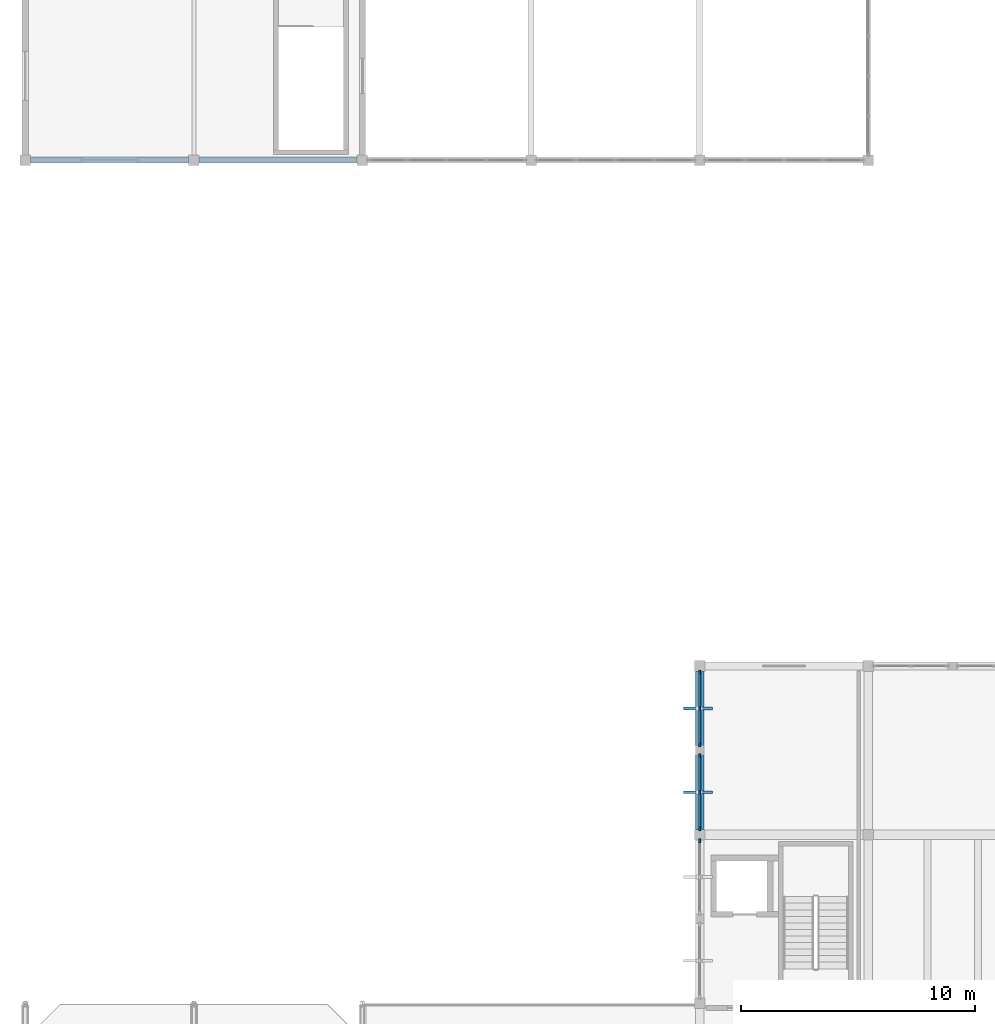
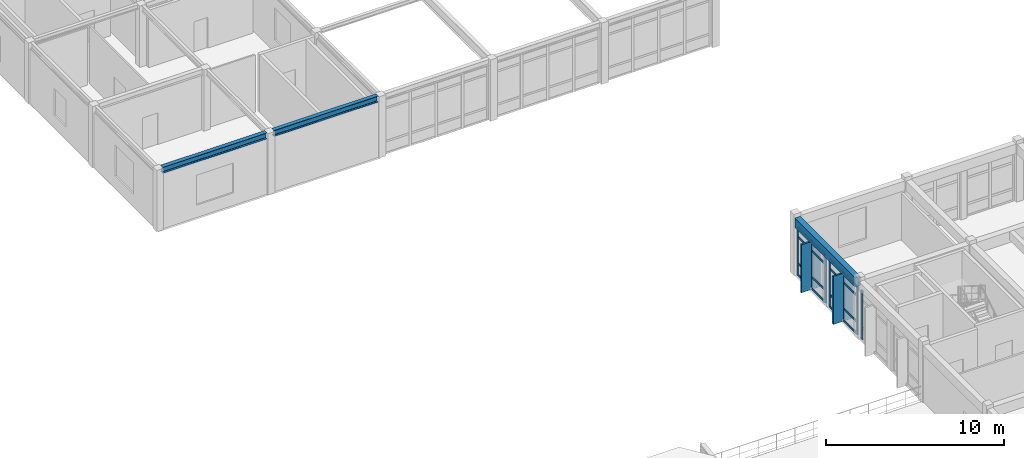
# One storey, part 39 of 136: 25 members, 3 beams, 3 elements without a shape of their own.
"""IFC4 building model written with IfcOpenShell, lengths in metres."""

import ifcopenshell
import ifcopenshell.guid

model = None  # the IFC model being written
_history = None  # IfcOwnerHistory: only IFC2X3 demands one
_inside = {}  # id of a spatial element -> (the spatial element, [elements in it])
_under = {}  # id of a project, library or spatial element -> (it, [spatial elements below it])
_declared = {}  # id of a project -> (the project, [libraries it declares])
_typed = {}  # id of a type object -> (the type object, [elements of that type])
_made_of = {}  # id of a material, layer set ... -> (it, [elements and type objects made of it])


def new_model(schema):
    """Start an empty IFC model of exactly this schema.

    Asked for "IFC4X3", IfcOpenShell would pick the latest addendum, in which some entities
    have other attributes; the version numbers below select the first issue.
    IFC2X3 requires an IfcOwnerHistory on every rooted entity: one is made here for all.
    """
    global model, _history
    if schema == "IFC4X3":
        model = ifcopenshell.file(schema_version=(4, 3, 0, 0))
    else:
        model = ifcopenshell.file(schema=schema)
    _inside.clear()
    _under.clear()
    _declared.clear()
    _typed.clear()
    _made_of.clear()
    _history = None
    if model.schema == "IFC2X3":
        org = make("IfcOrganization", Name="unknown")
        user = make(
            "IfcPersonAndOrganization",
            ThePerson=make("IfcPerson", FamilyName="unknown"),
            TheOrganization=org,
        )
        app = make(
            "IfcApplication",
            ApplicationDeveloper=org,
            Version="unknown",
            ApplicationFullName="unknown",
            ApplicationIdentifier="unknown",
        )
        _history = make(
            "IfcOwnerHistory",
            OwningUser=user,
            OwningApplication=app,
            ChangeAction="ADDED",
            CreationDate=0,
        )
    return model


def make(cls, **values):
    """One entity of the class cls with the attributes given. An attribute that is None is left unset."""
    return model.create_entity(
        cls, **{name: value for name, value in values.items() if value is not None}
    )


def rooted(cls, **values):
    """An entity with a GlobalId (a new one), such as an element, a storey or a relation."""
    return make(cls, GlobalId=ifcopenshell.guid.new(), OwnerHistory=_history, **values)


def si_unit(unit_type, name, prefix=None):
    """IfcSIUnit, for example si_unit("LENGTHUNIT", "METRE", prefix="MILLI")."""
    return make("IfcSIUnit", UnitType=unit_type, Prefix=prefix, Name=name)


def assignment(units):
    """IfcUnitAssignment: the units of a project."""
    return None if units is None else make("IfcUnitAssignment", Units=units)


def point(xyz):
    """IfcCartesianPoint."""
    return None if xyz is None else make("IfcCartesianPoint", Coordinates=xyz)


def direction(xyz):
    """IfcDirection."""
    return None if xyz is None else make("IfcDirection", DirectionRatios=xyz)


def frame(location, z_axis=None, x_axis=None):
    """IfcAxis2Placement3D, a coordinate frame: its origin and axes. An axis left out is left unset."""
    return make(
        "IfcAxis2Placement3D",
        Location=point(location),
        Axis=direction(z_axis),
        RefDirection=direction(x_axis),
    )


def frame_2d(location, x_axis=None):
    """IfcAxis2Placement2D, a coordinate frame in the plane: its origin and x axis."""
    return make(
        "IfcAxis2Placement2D", Location=point(location), RefDirection=direction(x_axis)
    )


def origin():
    """The frame at (0, 0, 0) with its axes left unset."""
    return frame((0.0, 0.0, 0.0))


def origin_2d():
    """The frame at (0, 0) in the plane with its x axis left unset."""
    return frame_2d((0.0, 0.0))


def place(relative_to, where):
    """IfcLocalPlacement: puts the frame where relative to a parent placement (None: the world)."""
    return make(
        "IfcLocalPlacement", PlacementRelTo=relative_to, RelativePlacement=where
    )


def context(
    kind, dimensions, precision=None, world=None, true_north=None, identifier=None
):
    """IfcGeometricRepresentationContext, for example the 3D "Model" context."""
    return make(
        "IfcGeometricRepresentationContext",
        ContextIdentifier=identifier,
        ContextType=kind,
        CoordinateSpaceDimension=dimensions,
        Precision=precision,
        WorldCoordinateSystem=world,
        TrueNorth=true_north,
    )


def subcontext(parent, identifier, kind, view, scale=None):
    """IfcGeometricRepresentationSubContext, for example "Body" below "Model"."""
    return make(
        "IfcGeometricRepresentationSubContext",
        ContextIdentifier=identifier,
        ContextType=kind,
        ParentContext=parent,
        TargetScale=scale,
        TargetView=view,
    )


def project(units=None, contexts=None):
    """IfcProject with its units and contexts."""
    return rooted(
        "IfcProject",
        Name="project",
        RepresentationContexts=contexts,
        UnitsInContext=assignment(units),
    )


def spatial(cls, under=None, at=None, **own):
    """A site, building, storey or space (cls), placed at a placement, below another one or the project."""
    s = rooted(cls, ObjectPlacement=at, **own)
    if under is not None:
        _under.setdefault(under.id(), (under, []))[1].append(s)
    return s


def profile(cls, at=None, kind="AREA", **sizes):
    """A parametric profile (cls). Its sizes go by their IFC names, for example OverallWidth=200.0."""
    return make(cls, ProfileType=kind, Position=at, **sizes)


def rectangle(**sizes):
    """IfcRectangleProfileDef."""
    return profile("IfcRectangleProfileDef", **sizes)


def i_section(**sizes):
    """IfcIShapeProfileDef."""
    return profile("IfcIShapeProfileDef", **sizes)


def extrude(swept, where, along, depth):
    """IfcExtrudedAreaSolid: the profile swept, set in the frame where, extruded along a direction by depth."""
    return make(
        "IfcExtrudedAreaSolid",
        SweptArea=swept,
        Position=where,
        ExtrudedDirection=direction(along),
        Depth=depth,
    )


def shape(context_of_items, identifier, shape_type, items):
    """IfcShapeRepresentation: the items that make up one representation, for example the "Body"."""
    return make(
        "IfcShapeRepresentation",
        ContextOfItems=context_of_items,
        RepresentationIdentifier=identifier,
        RepresentationType=shape_type,
        Items=items,
    )


def material(Name=None, Category=None):
    """IfcMaterial."""
    return make("IfcMaterial", Name=Name, Category=Category)


def layer(
    of_material, thickness, ventilated=None, Name=None, Category=None, Priority=None
):
    """IfcMaterialLayer: one layer of a wall or slab, of a material (None: an air gap)."""
    return make(
        "IfcMaterialLayer",
        Material=of_material,
        LayerThickness=thickness,
        IsVentilated=ventilated,
        Name=Name,
        Category=Category,
        Priority=Priority,
    )


def layer_set(layers, Name=None):
    """IfcMaterialLayerSet."""
    return make("IfcMaterialLayerSet", MaterialLayers=layers, LayerSetName=Name)


def material_profile(
    of_material, cross_section, Name=None, Category=None, Priority=None
):
    """IfcMaterialProfile: a cross section and its material."""
    return make(
        "IfcMaterialProfile",
        Name=Name,
        Material=of_material,
        Profile=cross_section,
        Priority=Priority,
        Category=Category,
    )


def profile_set(profiles, Name=None, composite=None):
    """IfcMaterialProfileSet."""
    return make(
        "IfcMaterialProfileSet",
        Name=Name,
        MaterialProfiles=profiles,
        CompositeProfile=composite,
    )


def made_of(thing, what):
    """Note that an element or type object is made of a material, layer set ...; save() writes the relation."""
    if what is not None:
        _made_of.setdefault(what.id(), (what, []))[1].append(thing)
    return thing


def type_object(cls, material=None, **own):
    """A type object (cls), such as IfcWallType, which elements share."""
    return made_of(rooted(cls, **own), material)


def element(
    cls,
    number,
    at=None,
    inside=None,
    cuts=None,
    type_object=None,
    material=None,
    context=None,
    identifier="Body",
    shape_type=None,
    held_by="IfcProductDefinitionShape",
    body=None,
    shapes=None,
    **own,
):
    """One element of the class cls, such as IfcWall. Its Tag is "e" and its number.

    at: its placement. inside: the storey or other place that contains it. cuts: it is an
    opening in that element (IfcRelVoidsElement). A single representation is given by context,
    identifier, shape_type and body (its items); several are given by shapes. held_by: the class
    of the entity that holds the representations. save() writes the other relations.
    """
    e = rooted(cls, Tag="e%d" % number, ObjectPlacement=at, **own)
    if body is not None:
        shapes = [shape(context, identifier, shape_type, body)]
    if shapes is not None:
        e.Representation = make(held_by, Representations=shapes)
    if inside is not None:
        _inside.setdefault(inside.id(), (inside, []))[1].append(e)
    if cuts is not None:
        rooted(
            "IfcRelVoidsElement", RelatingBuildingElement=cuts, RelatedOpeningElement=e
        )
    if type_object is not None:
        _typed.setdefault(type_object.id(), (type_object, []))[1].append(e)
    return made_of(e, material)


def aggregate(whole, parts):
    """IfcRelAggregates: a whole, such as a stair, and the parts it consists of."""
    return rooted("IfcRelAggregates", RelatingObject=whole, RelatedObjects=parts)


def save(model, path):
    """Write the relations noted so far, then the file.

    IfcRelAggregates (storeys below a building ...), IfcRelContainedInSpatialStructure (elements
    in a storey), IfcRelDefinesByType, IfcRelAssociatesMaterial and IfcRelDeclares: one each for
    every whole, place, type object, material and project.
    """
    for whole, parts in _under.values():
        aggregate(whole, parts)
    for where, things in _inside.values():
        rooted(
            "IfcRelContainedInSpatialStructure",
            RelatedElements=things,
            RelatingStructure=where,
        )
    for kind, things in _typed.values():
        rooted("IfcRelDefinesByType", RelatedObjects=things, RelatingType=kind)
    for what, things in _made_of.values():
        rooted("IfcRelAssociatesMaterial", RelatedObjects=things, RelatingMaterial=what)
    for by, libraries in _declared.values():
        rooted("IfcRelDeclares", RelatingContext=by, RelatedDefinitions=libraries)
    model.write(path)


model = new_model("IFC4")

# Units and contexts
model_context = context("Model", 3, precision=1e-05, world=origin(), true_north=direction((0.0, 1.0)))
body_context = subcontext(model_context, "Body", "Model", "MODEL_VIEW")
ifc_project = project(units=[si_unit("LENGTHUNIT", "METRE"), si_unit("AREAUNIT", "SQUARE_METRE"), si_unit("VOLUMEUNIT", "CUBIC_METRE"), si_unit("PLANEANGLEUNIT", "RADIAN"), si_unit("MASSUNIT", "GRAM", prefix="KILO")], contexts=[model_context])

# Site, building, storey
site_placement = place(None, origin())
site = spatial("IfcSite", under=ifc_project, at=site_placement, CompositionType="ELEMENT")
building_placement = place(site_placement, origin())
building = spatial("IfcBuilding", under=site, at=building_placement, Name="Koriwan Promenade Central Fire Station", CompositionType="ELEMENT")
storey_placement = place(building_placement, frame((0.0, 0.0, 5.39990234375)))
storey = spatial("IfcBuildingStorey", under=building, at=storey_placement, Name="L01", CompositionType="ELEMENT", Elevation=5.39990234375)

# Beam
ifc_material_1 = material(Name="Concrete C35/45", Category="concrete")
ifc_material_profile_1 = material_profile(ifc_material_1, rectangle(XDim=0.35009765625, YDim=0.64990234375, at=origin_2d()), Name="RC-BM-350x650")
ifc_profile_set_1 = profile_set([ifc_material_profile_1], Name="Concrete C35/45")
beam_type_1 = type_object("IfcBeamType", Name="Beam_RC-BM-350x650", PredefinedType="BEAM", material=ifc_profile_set_1)
beam_placement = place(storey_placement, frame((28.800048828125, 65.02490234375, 3.625), z_axis=(0.0, 1.0, 0.0), x_axis=(-1.0, 0.0, 0.0)))
element("IfcBeam", 1, at=beam_placement, inside=storey, type_object=beam_type_1, Name="V4 L01 girder Y-435", PredefinedType="BEAM", context=body_context, shape_type="SweptSolid", body=[
    extrude(rectangle(XDim=0.35009765625, YDim=0.64990234375, at=origin_2d()), origin(), (0.0, 0.0, 1.0), 6.75),
])

# Curtain wall, members
ifc_material_2 = material(Name="Aluminium EN AW-6063-T6 and low-E glazing", Category="aluminium")
ifc_layer_1 = layer(ifc_material_2, 0.159912109375, Name="Aluminium EN AW-6063-T6 and low-E glazing")
ifc_layer_set_1 = layer_set([ifc_layer_1], Name="Aluminium EN AW-6063-T6 and low-E glazing")
curtain_wall_type_1 = type_object("IfcCurtainWallType", Name="CurtainWall_28_318x329", PredefinedType="USERDEFINED", material=ifc_layer_set_1)
curtain_wall_1_placement = place(storey_placement, origin())
curtain_wall_1 = element("IfcCurtainWall", 2, at=curtain_wall_1_placement, inside=storey, type_object=curtain_wall_type_1, Name="V4 L01 unitised curtain wall 121", ObjectType="UNITISED CURTAIN WALL", PredefinedType="USERDEFINED")
ifc_material_3 = material(Name="Aluminium EN AW-6063-T6", Category="aluminium")
ifc_material_profile_2 = material_profile(ifc_material_3, rectangle(XDim=0.074951171875, YDim=0.179931640625, at=origin_2d()), Name="ALU-MUL-75x180")
ifc_profile_set_2 = profile_set([ifc_material_profile_2], Name="Aluminium EN AW-6063-T6")
member_type_1 = type_object("IfcMemberType", Name="CWMullion_ALU-MUL-75x180", PredefinedType="MULLION", material=ifc_profile_set_2)
member_1_placement = place(storey_placement, frame((28.800048828125, 71.737548828125, 0.0), z_axis=(0.0, 0.0, 1.0), x_axis=(1.0, 0.0, 0.0)))
member_1 = element("IfcMember", 3, at=member_1_placement, type_object=member_type_1, Name="CW-28 mullion 1", PredefinedType="MULLION", context=body_context, shape_type="SweptSolid", body=[
    extrude(rectangle(XDim=0.074951171875, YDim=0.179931640625, at=origin_2d()), origin(), (0.0, 0.0, 1.0), 3.2900390625),
])
member_2_placement = place(storey_placement, frame((28.800048828125, 70.1875, 0.0), z_axis=(0.0, 0.0, 1.0), x_axis=(1.0, 0.0, 0.0)))
member_2 = element("IfcMember", 4, at=member_2_placement, type_object=member_type_1, Name="CW-28 mullion 2", PredefinedType="MULLION", context=body_context, shape_type="SweptSolid", body=[
    extrude(rectangle(XDim=0.074951171875, YDim=0.179931640625, at=origin_2d()), origin(), (0.0, 0.0, 1.0), 3.2900390625),
])
member_3_placement = place(storey_placement, frame((28.800048828125, 68.637451171875, 0.0), z_axis=(0.0, 0.0, 1.0), x_axis=(1.0, 0.0, 0.0)))
member_3 = element("IfcMember", 5, at=member_3_placement, type_object=member_type_1, Name="CW-28 mullion 3", PredefinedType="MULLION", context=body_context, shape_type="SweptSolid", body=[
    extrude(rectangle(XDim=0.074951171875, YDim=0.179931640625, at=origin_2d()), origin(), (0.0, 0.0, 1.0), 3.2900390625),
])

ifc_layer_2 = layer(ifc_material_2, 0.159912109375, Name="Aluminium EN AW-6063-T6 and low-E glazing")
ifc_layer_set_2 = layer_set([ifc_layer_2], Name="Aluminium EN AW-6063-T6 and low-E glazing")
curtain_wall_type_2 = type_object("IfcCurtainWallType", Name="CurtainWall_46_317x329", PredefinedType="USERDEFINED", material=ifc_layer_set_2)
curtain_wall_2_placement = place(storey_placement, origin())
curtain_wall_2 = element("IfcCurtainWall", 6, at=curtain_wall_2_placement, inside=storey, type_object=curtain_wall_type_2, Name="V4 L01 unitised curtain wall 122", ObjectType="UNITISED CURTAIN WALL", PredefinedType="USERDEFINED")
member_4_placement = place(storey_placement, frame((28.800048828125, 68.16259765625, 0.0), z_axis=(0.0, 0.0, 1.0), x_axis=(1.0, 0.0, 0.0)))
member_4 = element("IfcMember", 7, at=member_4_placement, type_object=member_type_1, Name="CW-46 mullion 1", PredefinedType="MULLION", context=body_context, shape_type="SweptSolid", body=[
    extrude(rectangle(XDim=0.074951171875, YDim=0.179931640625, at=origin_2d()), origin(), (0.0, 0.0, 1.0), 3.2900390625),
])
member_5_placement = place(storey_placement, frame((28.800048828125, 66.612548828125, 0.0), z_axis=(0.0, 0.0, 1.0), x_axis=(1.0, 0.0, 0.0)))
member_5 = element("IfcMember", 8, at=member_5_placement, type_object=member_type_1, Name="CW-46 mullion 2", PredefinedType="MULLION", context=body_context, shape_type="SweptSolid", body=[
    extrude(rectangle(XDim=0.074951171875, YDim=0.179931640625, at=origin_2d()), origin(), (0.0, 0.0, 1.0), 3.2900390625),
])
member_6_placement = place(storey_placement, frame((28.800048828125, 65.0625, 0.0), z_axis=(0.0, 0.0, 1.0), x_axis=(1.0, 0.0, 0.0)))
member_6 = element("IfcMember", 9, at=member_6_placement, type_object=member_type_1, Name="CW-46 mullion 3", PredefinedType="MULLION", context=body_context, shape_type="SweptSolid", body=[
    extrude(rectangle(XDim=0.074951171875, YDim=0.179931640625, at=origin_2d()), origin(), (0.0, 0.0, 1.0), 3.2900390625),
])

# Curtain wall, member
ifc_layer_3 = layer(ifc_material_2, 0.159912109375, Name="Aluminium EN AW-6063-T6 and low-E glazing")
ifc_layer_set_3 = layer_set([ifc_layer_3], Name="Aluminium EN AW-6063-T6 and low-E glazing")
curtain_wall_type_3 = type_object("IfcCurtainWallType", Name="CurtainWall_44_318x334", PredefinedType="USERDEFINED", material=ifc_layer_set_3)
curtain_wall_3_placement = place(storey_placement, origin())
curtain_wall_3 = element("IfcCurtainWall", 10, at=curtain_wall_3_placement, inside=storey, type_object=curtain_wall_type_3, Name="V4 L01 unitised curtain wall 123", ObjectType="UNITISED CURTAIN WALL", PredefinedType="USERDEFINED")
member_7_placement = place(storey_placement, frame((28.800048828125, 64.53759765625, 0.0), z_axis=(0.0, 0.0, 1.0), x_axis=(1.0, 0.0, 0.0)))
member_7 = element("IfcMember", 11, at=member_7_placement, type_object=member_type_1, Name="CW-44 mullion 1", PredefinedType="MULLION", context=body_context, shape_type="SweptSolid", body=[
    extrude(rectangle(XDim=0.074951171875, YDim=0.179931640625, at=origin_2d()), origin(), (0.0, 0.0, 1.0), 3.340087890625),
])
aggregate(curtain_wall_3, [member_7])

# Member
ifc_material_profile_3 = material_profile(ifc_material_3, rectangle(XDim=0.074951171875, YDim=0.139892578125, at=origin_2d()), Name="ALU-TRN-75x140")
ifc_profile_set_3 = profile_set([ifc_material_profile_3], Name="Aluminium EN AW-6063-T6")
member_type_2 = type_object("IfcMemberType", Name="CWTransom_ALU-TRN-75x140", PredefinedType="USERDEFINED", material=ifc_profile_set_3)
member_8_placement = place(storey_placement, frame((28.800048828125, 71.699951171875, 0.03759765625), z_axis=(0.0, -1.0, 0.0), x_axis=(1.0, 0.0, 0.0)))
member_8 = element("IfcMember", 12, at=member_8_placement, type_object=member_type_2, Name="CW-28 transom 1.1", ObjectType="TRANSOM", PredefinedType="USERDEFINED", context=body_context, shape_type="SweptSolid", body=[
    extrude(rectangle(XDim=0.074951171875, YDim=0.139892578125, at=origin_2d()), origin(), (0.0, 0.0, 1.0), 1.474853515625),
])

member_9_placement = place(storey_placement, frame((28.800048828125, 71.699951171875, 0.85009765625), z_axis=(0.0, -1.0, 0.0), x_axis=(1.0, 0.0, 0.0)))
member_9 = element("IfcMember", 13, at=member_9_placement, type_object=member_type_2, Name="CW-28 transom 1.2", ObjectType="TRANSOM", PredefinedType="USERDEFINED", context=body_context, shape_type="SweptSolid", body=[
    extrude(rectangle(XDim=0.074951171875, YDim=0.139892578125, at=origin_2d()), origin(), (0.0, 0.0, 1.0), 1.474853515625),
])

member_10_placement = place(storey_placement, frame((28.800048828125, 71.699951171875, 2.64013671875), z_axis=(0.0, -1.0, 0.0), x_axis=(1.0, 0.0, 0.0)))
member_10 = element("IfcMember", 14, at=member_10_placement, type_object=member_type_2, Name="CW-28 transom 1.3", ObjectType="TRANSOM", PredefinedType="USERDEFINED", context=body_context, shape_type="SweptSolid", body=[
    extrude(rectangle(XDim=0.074951171875, YDim=0.139892578125, at=origin_2d()), origin(), (0.0, 0.0, 1.0), 1.474853515625),
])

member_11_placement = place(storey_placement, frame((28.800048828125, 71.699951171875, 3.252685546875), z_axis=(0.0, -1.0, 0.0), x_axis=(1.0, 0.0, 0.0)))
member_11 = element("IfcMember", 15, at=member_11_placement, type_object=member_type_2, Name="CW-28 transom 1.4", ObjectType="TRANSOM", PredefinedType="USERDEFINED", context=body_context, shape_type="SweptSolid", body=[
    extrude(rectangle(XDim=0.074951171875, YDim=0.139892578125, at=origin_2d()), origin(), (0.0, 0.0, 1.0), 1.474853515625),
])

member_12_placement = place(storey_placement, frame((28.800048828125, 70.14990234375, 0.03759765625), z_axis=(0.0, -1.0, 0.0), x_axis=(1.0, 0.0, 0.0)))
member_12 = element("IfcMember", 16, at=member_12_placement, type_object=member_type_2, Name="CW-28 transom 2.1", ObjectType="TRANSOM", PredefinedType="USERDEFINED", context=body_context, shape_type="SweptSolid", body=[
    extrude(rectangle(XDim=0.074951171875, YDim=0.139892578125, at=origin_2d()), origin(), (0.0, 0.0, 1.0), 1.474853515625),
])

member_13_placement = place(storey_placement, frame((28.800048828125, 70.14990234375, 0.85009765625), z_axis=(0.0, -1.0, 0.0), x_axis=(1.0, 0.0, 0.0)))
member_13 = element("IfcMember", 17, at=member_13_placement, type_object=member_type_2, Name="CW-28 transom 2.2", ObjectType="TRANSOM", PredefinedType="USERDEFINED", context=body_context, shape_type="SweptSolid", body=[
    extrude(rectangle(XDim=0.074951171875, YDim=0.139892578125, at=origin_2d()), origin(), (0.0, 0.0, 1.0), 1.474853515625),
])

member_14_placement = place(storey_placement, frame((28.800048828125, 70.14990234375, 2.64013671875), z_axis=(0.0, -1.0, 0.0), x_axis=(1.0, 0.0, 0.0)))
member_14 = element("IfcMember", 18, at=member_14_placement, type_object=member_type_2, Name="CW-28 transom 2.3", ObjectType="TRANSOM", PredefinedType="USERDEFINED", context=body_context, shape_type="SweptSolid", body=[
    extrude(rectangle(XDim=0.074951171875, YDim=0.139892578125, at=origin_2d()), origin(), (0.0, 0.0, 1.0), 1.474853515625),
])

member_15_placement = place(storey_placement, frame((28.800048828125, 70.14990234375, 3.252685546875), z_axis=(0.0, -1.0, 0.0), x_axis=(1.0, 0.0, 0.0)))
member_15 = element("IfcMember", 19, at=member_15_placement, type_object=member_type_2, Name="CW-28 transom 2.4", ObjectType="TRANSOM", PredefinedType="USERDEFINED", context=body_context, shape_type="SweptSolid", body=[
    extrude(rectangle(XDim=0.074951171875, YDim=0.139892578125, at=origin_2d()), origin(), (0.0, 0.0, 1.0), 1.474853515625),
])

aggregate(curtain_wall_1, [member_1, member_2, member_3, member_8, member_9, member_10, member_11, member_12, member_13, member_14, member_15])

member_16_placement = place(storey_placement, frame((28.800048828125, 68.125, 0.03759765625), z_axis=(0.0, -1.0, 0.0), x_axis=(1.0, 0.0, 0.0)))
member_16 = element("IfcMember", 20, at=member_16_placement, type_object=member_type_2, Name="CW-46 transom 1.1", ObjectType="TRANSOM", PredefinedType="USERDEFINED", context=body_context, shape_type="SweptSolid", body=[
    extrude(rectangle(XDim=0.074951171875, YDim=0.139892578125, at=origin_2d()), origin(), (0.0, 0.0, 1.0), 1.47509765625),
])

member_17_placement = place(storey_placement, frame((28.800048828125, 68.125, 0.85009765625), z_axis=(0.0, -1.0, 0.0), x_axis=(1.0, 0.0, 0.0)))
member_17 = element("IfcMember", 21, at=member_17_placement, type_object=member_type_2, Name="CW-46 transom 1.2", ObjectType="TRANSOM", PredefinedType="USERDEFINED", context=body_context, shape_type="SweptSolid", body=[
    extrude(rectangle(XDim=0.074951171875, YDim=0.139892578125, at=origin_2d()), origin(), (0.0, 0.0, 1.0), 1.47509765625),
])

member_18_placement = place(storey_placement, frame((28.800048828125, 68.125, 2.64013671875), z_axis=(0.0, -1.0, 0.0), x_axis=(1.0, 0.0, 0.0)))
member_18 = element("IfcMember", 22, at=member_18_placement, type_object=member_type_2, Name="CW-46 transom 1.3", ObjectType="TRANSOM", PredefinedType="USERDEFINED", context=body_context, shape_type="SweptSolid", body=[
    extrude(rectangle(XDim=0.074951171875, YDim=0.139892578125, at=origin_2d()), origin(), (0.0, 0.0, 1.0), 1.47509765625),
])

member_19_placement = place(storey_placement, frame((28.800048828125, 68.125, 3.252685546875), z_axis=(0.0, -1.0, 0.0), x_axis=(1.0, 0.0, 0.0)))
member_19 = element("IfcMember", 23, at=member_19_placement, type_object=member_type_2, Name="CW-46 transom 1.4", ObjectType="TRANSOM", PredefinedType="USERDEFINED", context=body_context, shape_type="SweptSolid", body=[
    extrude(rectangle(XDim=0.074951171875, YDim=0.139892578125, at=origin_2d()), origin(), (0.0, 0.0, 1.0), 1.47509765625),
])

member_20_placement = place(storey_placement, frame((28.800048828125, 66.574951171875, 0.03759765625), z_axis=(0.0, -1.0, 0.0), x_axis=(1.0, 0.0, 0.0)))
member_20 = element("IfcMember", 24, at=member_20_placement, type_object=member_type_2, Name="CW-46 transom 2.1", ObjectType="TRANSOM", PredefinedType="USERDEFINED", context=body_context, shape_type="SweptSolid", body=[
    extrude(rectangle(XDim=0.074951171875, YDim=0.139892578125, at=origin_2d()), origin(), (0.0, 0.0, 1.0), 1.474853515625),
])

member_21_placement = place(storey_placement, frame((28.800048828125, 66.574951171875, 0.85009765625), z_axis=(0.0, -1.0, 0.0), x_axis=(1.0, 0.0, 0.0)))
member_21 = element("IfcMember", 25, at=member_21_placement, type_object=member_type_2, Name="CW-46 transom 2.2", ObjectType="TRANSOM", PredefinedType="USERDEFINED", context=body_context, shape_type="SweptSolid", body=[
    extrude(rectangle(XDim=0.074951171875, YDim=0.139892578125, at=origin_2d()), origin(), (0.0, 0.0, 1.0), 1.474853515625),
])

member_22_placement = place(storey_placement, frame((28.800048828125, 66.574951171875, 2.64013671875), z_axis=(0.0, -1.0, 0.0), x_axis=(1.0, 0.0, 0.0)))
member_22 = element("IfcMember", 26, at=member_22_placement, type_object=member_type_2, Name="CW-46 transom 2.3", ObjectType="TRANSOM", PredefinedType="USERDEFINED", context=body_context, shape_type="SweptSolid", body=[
    extrude(rectangle(XDim=0.074951171875, YDim=0.139892578125, at=origin_2d()), origin(), (0.0, 0.0, 1.0), 1.474853515625),
])

member_23_placement = place(storey_placement, frame((28.800048828125, 66.574951171875, 3.252685546875), z_axis=(0.0, -1.0, 0.0), x_axis=(1.0, 0.0, 0.0)))
member_23 = element("IfcMember", 27, at=member_23_placement, type_object=member_type_2, Name="CW-46 transom 2.4", ObjectType="TRANSOM", PredefinedType="USERDEFINED", context=body_context, shape_type="SweptSolid", body=[
    extrude(rectangle(XDim=0.074951171875, YDim=0.139892578125, at=origin_2d()), origin(), (0.0, 0.0, 1.0), 1.474853515625),
])

aggregate(curtain_wall_2, [member_4, member_5, member_6, member_16, member_17, member_18, member_19, member_20, member_21, member_22, member_23])

# Members
ifc_material_4 = material(Name="Aluminium EN AW-6063-T6 terracotta finish", Category="masonry")
ifc_material_profile_4 = material_profile(ifc_material_4, rectangle(XDim=0.1201171875, YDim=1.25, at=origin_2d()), Name="FIN-TRC-120x1250")
ifc_profile_set_4 = profile_set([ifc_material_profile_4], Name="Aluminium EN AW-6063-T6 terracotta finish")
member_type_3 = type_object("IfcMemberType", Name="SolarFin_FIN-TRC-120x1250", PredefinedType="USERDEFINED", material=ifc_profile_set_4)
for number, where, z_axis, x_axis, name in (
    (28, (28.72509765625, 70.1875, 0.0), (0.0, 0.0, 1.0), (0.0, 1.0, 0.0), "V4 L01 terracotta solar fin 007"),
    (29, (28.72509765625, 66.612548828125, 0.0), (0.0, 0.0, 1.0), (0.0, 1.0, 0.0), "V4 L01 terracotta solar fin 008"),
):
    element("IfcMember", number, at=place(storey_placement, frame(where, z_axis=z_axis, x_axis=x_axis)), inside=storey, type_object=member_type_3, Name=name, ObjectType="SOLAR FIN", PredefinedType="USERDEFINED", context=body_context, shape_type="SweptSolid", body=[
        extrude(rectangle(XDim=0.1201171875, YDim=1.25, at=origin_2d()), origin(), (0.0, 0.0, 1.0), 3.2900390625),
    ])

# Beams
ifc_material_5 = material(Name="Steel ASTM A992 Grade 50", Category="steel")
ifc_material_profile_5 = material_profile(ifc_material_5, i_section(OverallWidth=0.260009765625, OverallDepth=0.4150390625, WebThickness=0.010009765625, FlangeThickness=0.016845703125, FilletRadius=0.01611328125, at=origin_2d()), Name="W410x100")
ifc_profile_set_5 = profile_set([ifc_material_profile_5], Name="Steel ASTM A992 Grade 50")
beam_type_2 = type_object("IfcBeamType", Name="SteelBeam_W410x100", PredefinedType="BEAM", material=ifc_profile_set_5)
for number, where, z_axis, x_axis, name in (
    (30, (0.22509765625, 93.60009765625, 3.99267578125), (1.0, 0.0, 0.0), (0.0, 1.0, 0.0), "V6 L01 girder X-1045"),
    (31, (7.425048828125, 93.60009765625, 3.99267578125), (1.0, 0.0, 0.0), (0.0, 1.0, 0.0), "V6 L01 girder X-1046"),
):
    element("IfcBeam", number, at=place(storey_placement, frame(where, z_axis=z_axis, x_axis=x_axis)), inside=storey, type_object=beam_type_2, Name=name, PredefinedType="BEAM", context=body_context, shape_type="SweptSolid", body=[
        extrude(i_section(OverallWidth=0.260009765625, OverallDepth=0.4150390625, WebThickness=0.010009765625, FlangeThickness=0.016845703125, FilletRadius=0.01611328125, at=origin_2d()), origin(), (0.0, 0.0, 1.0), 6.75),
    ])

save(model, "model.ifc")
